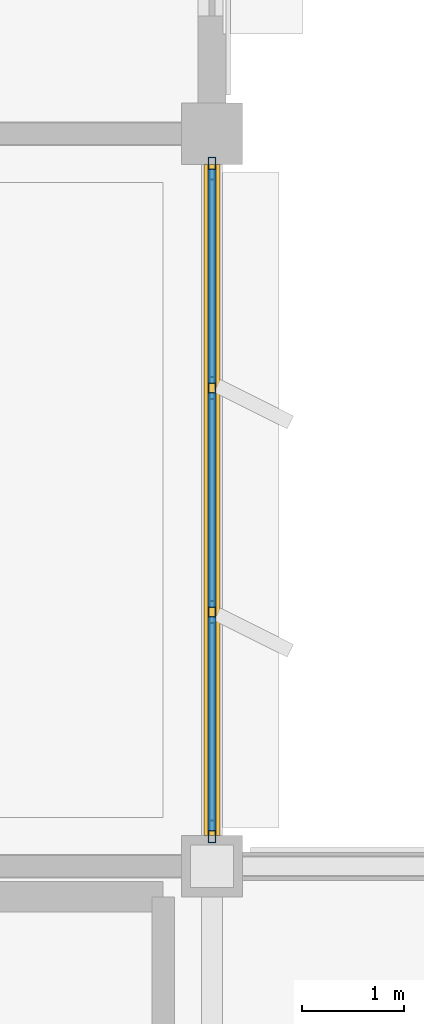
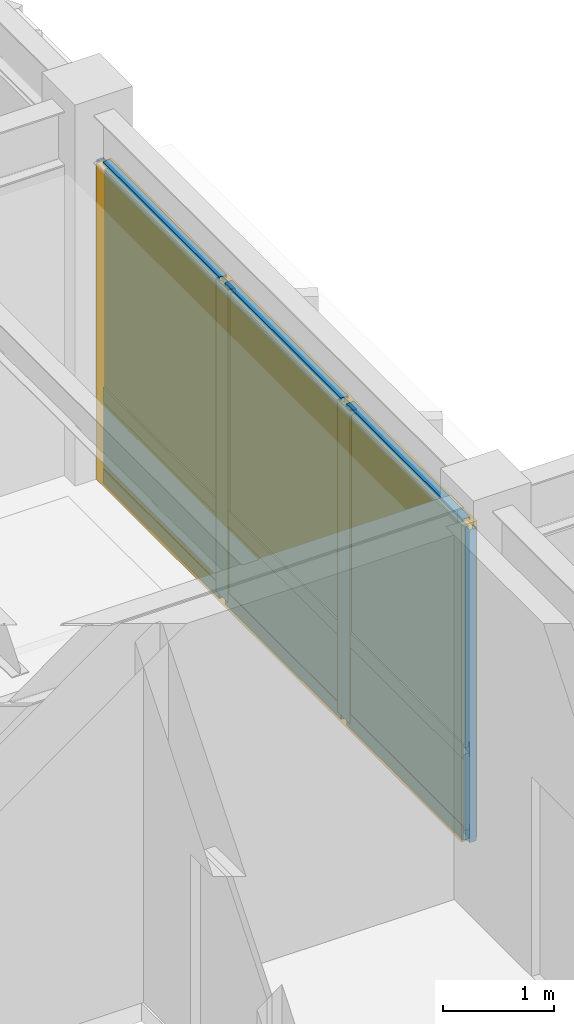
# One storey, part 59 of 85: 13 members, 6 plates, 1 curtain wall.
"""IFC4 building model written with IfcOpenShell, lengths in metres."""

from ifc_helpers import new_model, si_unit, direction, frame, origin, origin_2d, place, context, subcontext, project, spatial, rectangle, hollow_rectangle, extrude, material, layer, layer_set, material_profile, profile_set, type_object, element, aggregate, save


model = new_model("IFC4")

# Units and contexts
model_context = context("Model", 3, precision=1e-05, world=origin(), true_north=direction((0.0, 1.0)))
body_context = subcontext(model_context, "Body", "Model", "MODEL_VIEW")
ifc_project = project(units=[si_unit("LENGTHUNIT", "METRE"), si_unit("AREAUNIT", "SQUARE_METRE"), si_unit("VOLUMEUNIT", "CUBIC_METRE"), si_unit("PLANEANGLEUNIT", "RADIAN"), si_unit("MASSUNIT", "GRAM", prefix="KILO")], contexts=[model_context])

# Member
ifc_material_1 = material(Name="Anodized Aluminium 6063-T6", Category="aluminium")
ifc_material_profile_1 = material_profile(ifc_material_1, hollow_rectangle(XDim=0.074951171875, YDim=0.219970703125, WallThickness=0.0048828125, at=origin_2d()), Name="ALU 75x220x5")
ifc_profile_set_1 = profile_set([ifc_material_profile_1], Name="Anodized Aluminium 6063-T6")
member_type_1 = type_object("IfcMemberType", Name="CWM-75X180", PredefinedType="MULLION", material=ifc_profile_set_1)
site_placement = place(None, origin())
building_placement = place(site_placement, origin())
storey_placement = place(building_placement, frame((0.0, 0.0, 9.89990234375)))
member_1_placement = place(storey_placement, frame((72.0, 100.4599609375, 0.02001953125), z_axis=(0.0, 0.0, 1.0), x_axis=(1.0, 0.0, 0.0)))
member_1 = element("IfcMember", 1, at=member_1_placement, type_object=member_type_1, Name="Curtain wall mullion CW-L03-09-13-E-00", PredefinedType="MULLION", context=body_context, shape_type="SweptSolid", body=[
    extrude(hollow_rectangle(XDim=0.074951171875, YDim=0.219970703125, WallThickness=0.0048828125, at=origin_2d()), origin(), (0.0, 0.0, 1.0), 3.447021484375),
])

member_2_placement = place(storey_placement, frame((72.0, 98.300048828125, 0.02001953125), z_axis=(0.0, 0.0, 1.0), x_axis=(1.0, 0.0, 0.0)))
member_2 = element("IfcMember", 2, at=member_2_placement, type_object=member_type_1, Name="Curtain wall mullion CW-L03-09-13-E-01", PredefinedType="MULLION", context=body_context, shape_type="SweptSolid", body=[
    extrude(hollow_rectangle(XDim=0.074951171875, YDim=0.219970703125, WallThickness=0.0048828125, at=origin_2d()), origin(), (0.0, 0.0, 1.0), 3.447021484375),
])

member_3_placement = place(storey_placement, frame((72.0, 96.10009765625, 0.02001953125), z_axis=(0.0, 0.0, 1.0), x_axis=(1.0, 0.0, 0.0)))
member_3 = element("IfcMember", 3, at=member_3_placement, type_object=member_type_1, Name="Curtain wall mullion CW-L03-09-13-E-02", PredefinedType="MULLION", context=body_context, shape_type="SweptSolid", body=[
    extrude(hollow_rectangle(XDim=0.074951171875, YDim=0.219970703125, WallThickness=0.0048828125, at=origin_2d()), origin(), (0.0, 0.0, 1.0), 3.447021484375),
])

member_4_placement = place(storey_placement, frame((72.0, 93.93994140625, 0.02001953125), z_axis=(0.0, 0.0, 1.0), x_axis=(1.0, 0.0, 0.0)))
member_4 = element("IfcMember", 4, at=member_4_placement, type_object=member_type_1, Name="Curtain wall mullion CW-L03-09-13-E-03", PredefinedType="MULLION", context=body_context, shape_type="SweptSolid", body=[
    extrude(hollow_rectangle(XDim=0.074951171875, YDim=0.219970703125, WallThickness=0.0048828125, at=origin_2d()), origin(), (0.0, 0.0, 1.0), 3.447021484375),
])

ifc_material_profile_2 = material_profile(ifc_material_1, hollow_rectangle(XDim=0.074951171875, YDim=0.159912109375, WallThickness=0.00390625, at=origin_2d()), Name="ALU 75x160x4")
ifc_profile_set_2 = profile_set([ifc_material_profile_2], Name="Anodized Aluminium 6063-T6")
member_type_2 = type_object("IfcMemberType", Name="CWT-75X150", PredefinedType="USERDEFINED", material=ifc_profile_set_2)
member_5_placement = place(storey_placement, frame((72.0, 100.449951171875, 0.050048828125), z_axis=(0.0, -1.0, 0.0), x_axis=(1.0, 0.0, 0.0)))
member_5 = element("IfcMember", 5, at=member_5_placement, type_object=member_type_2, Name="Curtain wall transom CW-L03-09-13-E-1.01", ObjectType="TRANSOM", PredefinedType="USERDEFINED", context=body_context, shape_type="SweptSolid", body=[
    extrude(hollow_rectangle(XDim=0.074951171875, YDim=0.159912109375, WallThickness=0.00390625, at=origin_2d()), origin(), (0.0, 0.0, 1.0), 2.099853515625),
])

member_6_placement = place(storey_placement, frame((72.0, 98.25, 0.050048828125), z_axis=(0.0, -1.0, 0.0), x_axis=(1.0, 0.0, 0.0)))
member_6 = element("IfcMember", 6, at=member_6_placement, type_object=member_type_2, Name="Curtain wall transom CW-L03-09-13-E-1.02", ObjectType="TRANSOM", PredefinedType="USERDEFINED", context=body_context, shape_type="SweptSolid", body=[
    extrude(hollow_rectangle(XDim=0.074951171875, YDim=0.159912109375, WallThickness=0.00390625, at=origin_2d()), origin(), (0.0, 0.0, 1.0), 2.10009765625),
])

member_7_placement = place(storey_placement, frame((72.0, 96.050048828125, 0.050048828125), z_axis=(0.0, -1.0, 0.0), x_axis=(1.0, 0.0, 0.0)))
member_7 = element("IfcMember", 7, at=member_7_placement, type_object=member_type_2, Name="Curtain wall transom CW-L03-09-13-E-1.03", ObjectType="TRANSOM", PredefinedType="USERDEFINED", context=body_context, shape_type="SweptSolid", body=[
    extrude(hollow_rectangle(XDim=0.074951171875, YDim=0.159912109375, WallThickness=0.00390625, at=origin_2d()), origin(), (0.0, 0.0, 1.0), 2.10009765625),
])

member_8_placement = place(storey_placement, frame((72.0, 100.449951171875, 0.9501953125), z_axis=(0.0, -1.0, 0.0), x_axis=(1.0, 0.0, 0.0)))
member_8 = element("IfcMember", 8, at=member_8_placement, type_object=member_type_2, Name="Curtain wall transom CW-L03-09-13-E-2.01", ObjectType="TRANSOM", PredefinedType="USERDEFINED", context=body_context, shape_type="SweptSolid", body=[
    extrude(hollow_rectangle(XDim=0.074951171875, YDim=0.159912109375, WallThickness=0.00390625, at=origin_2d()), origin(), (0.0, 0.0, 1.0), 2.099853515625),
])

member_9_placement = place(storey_placement, frame((72.0, 98.25, 0.9501953125), z_axis=(0.0, -1.0, 0.0), x_axis=(1.0, 0.0, 0.0)))
member_9 = element("IfcMember", 9, at=member_9_placement, type_object=member_type_2, Name="Curtain wall transom CW-L03-09-13-E-2.02", ObjectType="TRANSOM", PredefinedType="USERDEFINED", context=body_context, shape_type="SweptSolid", body=[
    extrude(hollow_rectangle(XDim=0.074951171875, YDim=0.159912109375, WallThickness=0.00390625, at=origin_2d()), origin(), (0.0, 0.0, 1.0), 2.10009765625),
])

member_10_placement = place(storey_placement, frame((72.0, 96.050048828125, 0.9501953125), z_axis=(0.0, -1.0, 0.0), x_axis=(1.0, 0.0, 0.0)))
member_10 = element("IfcMember", 10, at=member_10_placement, type_object=member_type_2, Name="Curtain wall transom CW-L03-09-13-E-2.03", ObjectType="TRANSOM", PredefinedType="USERDEFINED", context=body_context, shape_type="SweptSolid", body=[
    extrude(hollow_rectangle(XDim=0.074951171875, YDim=0.159912109375, WallThickness=0.00390625, at=origin_2d()), origin(), (0.0, 0.0, 1.0), 2.10009765625),
])

member_11_placement = place(storey_placement, frame((72.0, 100.449951171875, 3.43701171875), z_axis=(0.0, -1.0, 0.0), x_axis=(1.0, 0.0, 0.0)))
member_11 = element("IfcMember", 11, at=member_11_placement, type_object=member_type_2, Name="Curtain wall transom CW-L03-09-13-E-3.01", ObjectType="TRANSOM", PredefinedType="USERDEFINED", context=body_context, shape_type="SweptSolid", body=[
    extrude(hollow_rectangle(XDim=0.074951171875, YDim=0.159912109375, WallThickness=0.00390625, at=origin_2d()), origin(), (0.0, 0.0, 1.0), 2.099853515625),
])

member_12_placement = place(storey_placement, frame((72.0, 98.25, 3.43701171875), z_axis=(0.0, -1.0, 0.0), x_axis=(1.0, 0.0, 0.0)))
member_12 = element("IfcMember", 12, at=member_12_placement, type_object=member_type_2, Name="Curtain wall transom CW-L03-09-13-E-3.02", ObjectType="TRANSOM", PredefinedType="USERDEFINED", context=body_context, shape_type="SweptSolid", body=[
    extrude(hollow_rectangle(XDim=0.074951171875, YDim=0.159912109375, WallThickness=0.00390625, at=origin_2d()), origin(), (0.0, 0.0, 1.0), 2.10009765625),
])

member_13_placement = place(storey_placement, frame((72.0, 96.050048828125, 3.43701171875), z_axis=(0.0, -1.0, 0.0), x_axis=(1.0, 0.0, 0.0)))
member_13 = element("IfcMember", 13, at=member_13_placement, type_object=member_type_2, Name="Curtain wall transom CW-L03-09-13-E-3.03", ObjectType="TRANSOM", PredefinedType="USERDEFINED", context=body_context, shape_type="SweptSolid", body=[
    extrude(hollow_rectangle(XDim=0.074951171875, YDim=0.159912109375, WallThickness=0.00390625, at=origin_2d()), origin(), (0.0, 0.0, 1.0), 2.10009765625),
])

# Plate
ifc_material_2 = material(Name="Acoustic Laminated Low-E Glazing", Category="glass")
ifc_layer_1 = layer(ifc_material_2, 0.0439453125)
ifc_layer_set_1 = layer_set([ifc_layer_1], Name="Acoustic Laminated Low-E Glazing")
plate_type_1 = type_object("IfcPlateType", Name="CWP-IGU-44", PredefinedType="CURTAIN_PANEL", material=ifc_layer_set_1)
plate_1_placement = place(storey_placement, frame((72.0, 99.39990234375, 0.989990234375), z_axis=(0.0, 0.0, 1.0), x_axis=(0.0, -1.0, 0.0)))
plate_1 = element("IfcPlate", 14, at=plate_1_placement, type_object=plate_type_1, Name="Curtain wall vision glazing CW-L03-09-13-E-01", PredefinedType="CURTAIN_PANEL", context=body_context, shape_type="SweptSolid", body=[
    extrude(rectangle(XDim=2.110107421875, YDim=0.0400390625, at=origin_2d()), origin(), (0.0, 0.0, 1.0), 2.43701171875),
])

plate_2_placement = place(storey_placement, frame((72.0, 97.199951171875, 0.989990234375), z_axis=(0.0, 0.0, 1.0), x_axis=(0.0, -1.0, 0.0)))
plate_2 = element("IfcPlate", 15, at=plate_2_placement, type_object=plate_type_1, Name="Curtain wall vision glazing CW-L03-09-13-E-02", PredefinedType="CURTAIN_PANEL", context=body_context, shape_type="SweptSolid", body=[
    extrude(rectangle(XDim=2.110107421875, YDim=0.0400390625, at=origin_2d()), origin(), (0.0, 0.0, 1.0), 2.43701171875),
])

plate_3_placement = place(storey_placement, frame((72.0, 95.0, 0.989990234375), z_axis=(0.0, 0.0, 1.0), x_axis=(0.0, -1.0, 0.0)))
plate_3 = element("IfcPlate", 16, at=plate_3_placement, type_object=plate_type_1, Name="Curtain wall vision glazing CW-L03-09-13-E-03", PredefinedType="CURTAIN_PANEL", context=body_context, shape_type="SweptSolid", body=[
    extrude(rectangle(XDim=2.110107421875, YDim=0.0400390625, at=origin_2d()), origin(), (0.0, 0.0, 1.0), 2.43701171875),
])

ifc_material_3 = material(Name="Insulated Stone-Composite Spandrel", Category="masonry")
ifc_layer_2 = layer(ifc_material_3, 0.068115234375)
ifc_layer_set_2 = layer_set([ifc_layer_2], Name="Insulated Stone-Composite Spandrel")
plate_type_2 = type_object("IfcPlateType", Name="CWP-SPN-68", PredefinedType="CURTAIN_PANEL", material=ifc_layer_set_2)
plate_4_placement = place(storey_placement, frame((72.0, 99.39990234375, 0.080078125), z_axis=(0.0, 0.0, 1.0), x_axis=(0.0, -1.0, 0.0)))
plate_4 = element("IfcPlate", 17, at=plate_4_placement, type_object=plate_type_2, Name="Curtain wall spandrel panel CW-L03-09-13-E-01", PredefinedType="CURTAIN_PANEL", context=body_context, shape_type="SweptSolid", body=[
    extrude(rectangle(XDim=2.110107421875, YDim=0.06005859375, at=origin_2d()), origin(), (0.0, 0.0, 1.0), 0.840087890625),
])

plate_5_placement = place(storey_placement, frame((72.0, 97.199951171875, 0.080078125), z_axis=(0.0, 0.0, 1.0), x_axis=(0.0, -1.0, 0.0)))
plate_5 = element("IfcPlate", 18, at=plate_5_placement, type_object=plate_type_2, Name="Curtain wall spandrel panel CW-L03-09-13-E-02", PredefinedType="CURTAIN_PANEL", context=body_context, shape_type="SweptSolid", body=[
    extrude(rectangle(XDim=2.110107421875, YDim=0.06005859375, at=origin_2d()), origin(), (0.0, 0.0, 1.0), 0.840087890625),
])

plate_6_placement = place(storey_placement, frame((72.0, 95.0, 0.080078125), z_axis=(0.0, 0.0, 1.0), x_axis=(0.0, -1.0, 0.0)))
plate_6 = element("IfcPlate", 19, at=plate_6_placement, type_object=plate_type_2, Name="Curtain wall spandrel panel CW-L03-09-13-E-03", PredefinedType="CURTAIN_PANEL", context=body_context, shape_type="SweptSolid", body=[
    extrude(rectangle(XDim=2.110107421875, YDim=0.06005859375, at=origin_2d()), origin(), (0.0, 0.0, 1.0), 0.840087890625),
])

# Site, building, storey
site = spatial("IfcSite", under=ifc_project, at=site_placement, CompositionType="ELEMENT")
building = spatial("IfcBuilding", under=site, at=building_placement, Name="Sillqori Civic Hall", CompositionType="ELEMENT")
storey = spatial("IfcBuildingStorey", under=building, at=storey_placement, Name="L03", CompositionType="ELEMENT", Elevation=9.89990234375)

# Curtain wall
ifc_material_4 = material(Name="Anodized Aluminium Curtain Wall System", Category="aluminium")
curtain_wall_type = type_object("IfcCurtainWallType", Name="CW-GL-400", PredefinedType="NOTDEFINED", material=ifc_material_4)
curtain_wall_placement = place(storey_placement, frame((72.0, 97.199951171875, 0.0), z_axis=(0.0, 0.0, 1.0), x_axis=(0.0, -1.0, 0.0)))
curtain_wall = element("IfcCurtainWall", 20, at=curtain_wall_placement, inside=storey, type_object=curtain_wall_type, Name="L03 unitised curtain wall CW-L03-09-13-E", PredefinedType="NOTDEFINED", context=body_context, shape_type="SweptSolid", body=[
    extrude(rectangle(XDim=6.60009765625, YDim=0.159912109375, at=origin_2d()), origin(), (0.0, 0.0, 1.0), 3.487060546875),
])

aggregate(curtain_wall, [member_1, member_2, member_3, member_4, member_5, member_6, member_7, member_8, member_9, member_10, member_11, member_12, member_13, plate_4, plate_1, plate_5, plate_2, plate_6, plate_3])

save(model, "model.ifc")
